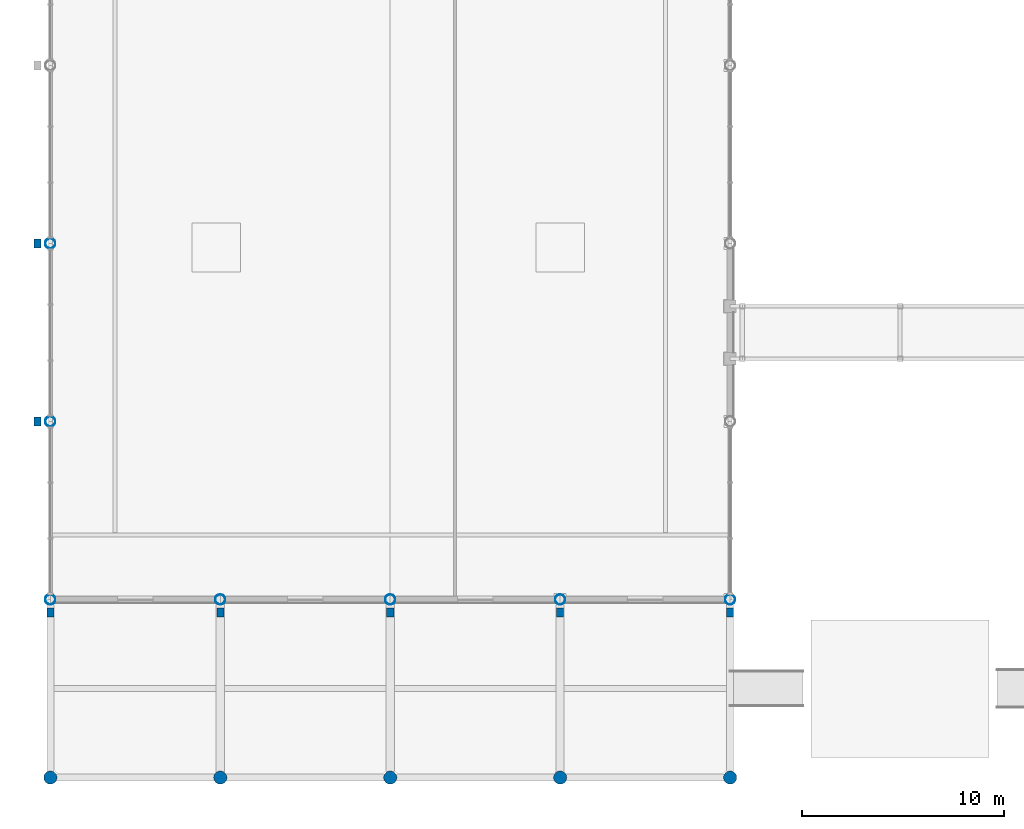
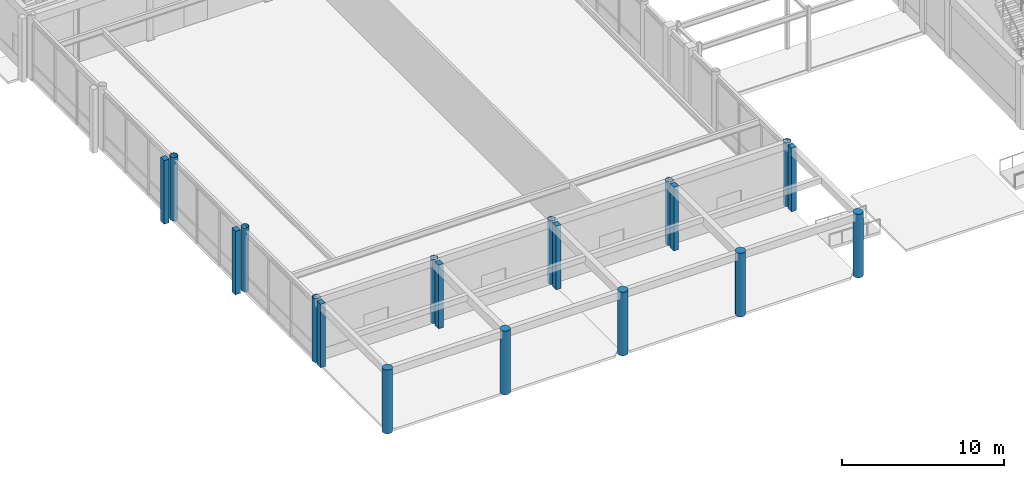
# One storey, part 1 of 58: 19 columns.
"""IFC4 building model written with IfcOpenShell, lengths in metres."""

from ifc_helpers import new_model, si_unit, direction, frame, origin, origin_2d, place, context, subcontext, project, spatial, rectangle, circle, hollow_circle, extrude, material, material_profile, profile_set, type_object, element, save


model = new_model("IFC4")

# Units and contexts
model_context = context("Model", 3, precision=1e-05, world=origin(), true_north=direction((0.0, 1.0)))
body_context = subcontext(model_context, "Body", "Model", "MODEL_VIEW")
ifc_project = project(units=[si_unit("LENGTHUNIT", "METRE"), si_unit("AREAUNIT", "SQUARE_METRE"), si_unit("VOLUMEUNIT", "CUBIC_METRE"), si_unit("PLANEANGLEUNIT", "RADIAN"), si_unit("MASSUNIT", "GRAM", prefix="KILO")], contexts=[model_context])

# Site, building, storey
site_placement = place(None, origin())
site = spatial("IfcSite", under=ifc_project, at=site_placement, CompositionType="ELEMENT")
building_placement = place(site_placement, origin())
building = spatial("IfcBuilding", under=site, at=building_placement, Name="Kemercrest Conservatory and Botanical Centre", CompositionType="ELEMENT")
storey_placement = place(building_placement, origin())
storey = spatial("IfcBuildingStorey", under=building, at=storey_placement, Name="L00", CompositionType="ELEMENT", Elevation=0.0)

# Columns
ifc_material_1 = material(Name="Steel CSA G40.21 350W", Category="steel")
ifc_material_profile_1 = material_profile(ifc_material_1, hollow_circle(Radius=0.25390625, WallThickness=0.01611328125, at=origin_2d()), Name="CHS 508.0x16.0")
ifc_profile_set_1 = profile_set([ifc_material_profile_1], Name="Steel CSA G40.21 350W")
column_type_1 = type_object("IfcColumnType", Name="C-S508", PredefinedType="COLUMN", material=ifc_profile_set_1)
for number, where, z_axis, x_axis, name in (
    (1, (8.0, 16.800048828125, 0.0), (0.0, 0.0, 1.0), (1.0, 0.0, 0.0), "Conservatory perimeter steel column 01/B"),
    (2, (8.0, 25.60009765625, 0.0), (0.0, 0.0, 1.0), (1.0, 0.0, 0.0), "Conservatory perimeter steel column 01/C"),
    (3, (8.0, 34.39990234375, 0.0), (0.0, 0.0, 1.0), (1.0, 0.0, 0.0), "Conservatory perimeter steel column 01/D"),
    (4, (16.39990234375, 16.800048828125, 0.0), (0.0, 0.0, 1.0), (1.0, 0.0, 0.0), "Conservatory perimeter steel column 02/B"),
    (5, (24.800048828125, 16.800048828125, 0.0), (0.0, 0.0, 1.0), (1.0, 0.0, 0.0), "Conservatory perimeter steel column 03/B"),
    (6, (33.199951171875, 16.800048828125, 0.0), (0.0, 0.0, 1.0), (1.0, 0.0, 0.0), "Conservatory perimeter steel column 04/B"),
    (7, (41.60009765625, 16.800048828125, 0.0), (0.0, 0.0, 1.0), (1.0, 0.0, 0.0), "Conservatory perimeter steel column 05/B"),
):
    element("IfcColumn", number, at=place(storey_placement, frame(where, z_axis=z_axis, x_axis=x_axis)), inside=storey, type_object=column_type_1, Name=name, PredefinedType="COLUMN", context=body_context, shape_type="SweptSolid", body=[
        extrude(hollow_circle(Radius=0.25390625, WallThickness=0.01611328125, at=origin_2d()), origin(), (0.0, 0.0, 1.0), 4.800048828125),
    ])
ifc_material_2 = material(Name="Precast concrete C40/50", Category="concrete")
ifc_material_profile_2 = material_profile(ifc_material_2, circle(Radius=0.324951171875, at=origin_2d()), Name="COLONNADE D650")
ifc_profile_set_2 = profile_set([ifc_material_profile_2], Name="Precast concrete C40/50")
column_type_2 = type_object("IfcColumnType", Name="CL-650", PredefinedType="COLUMN", material=ifc_profile_set_2)
for number, where, z_axis, x_axis, name in (
    (8, (8.0, 8.0, 0.0), (0.0, 0.0, 1.0), (1.0, 0.0, 0.0), "Conservatory harbour colonnade column 01/A"),
    (9, (16.39990234375, 8.0, 0.0), (0.0, 0.0, 1.0), (1.0, 0.0, 0.0), "Conservatory harbour colonnade column 02/A"),
    (10, (24.800048828125, 8.0, 0.0), (0.0, 0.0, 1.0), (1.0, 0.0, 0.0), "Conservatory harbour colonnade column 03/A"),
    (11, (33.199951171875, 8.0, 0.0), (0.0, 0.0, 1.0), (1.0, 0.0, 0.0), "Conservatory harbour colonnade column 04/A"),
    (12, (41.60009765625, 8.0, 0.0), (0.0, 0.0, 1.0), (1.0, 0.0, 0.0), "Conservatory harbour colonnade column 05/A"),
):
    element("IfcColumn", number, at=place(storey_placement, frame(where, z_axis=z_axis, x_axis=x_axis)), inside=storey, type_object=column_type_2, Name=name, PredefinedType="COLUMN", context=body_context, shape_type="SweptSolid", body=[
        extrude(circle(Radius=0.324951171875, at=origin_2d()), origin(), (0.0, 0.0, 1.0), 4.800048828125),
    ])
ifc_material_profile_3 = material_profile(ifc_material_2, rectangle(XDim=0.35009765625, YDim=0.449951171875, at=origin_2d()), Name="RC 450x350")
ifc_profile_set_3 = profile_set([ifc_material_profile_3], Name="Precast concrete C40/50")
column_type_3 = type_object("IfcColumnType", Name="PL-450", PredefinedType="PILASTER", material=ifc_profile_set_3)
for number, where, z_axis, x_axis, name in (
    (13, (8.0, 16.159912109375, 0.0), (0.0, 0.0, 1.0), (1.0, 0.0, 0.0), "Conservatory facade stone pilaster 01/B"),
    (14, (7.360107421875, 25.60009765625, 0.0), (0.0, 0.0, 1.0), (1.0, 0.0, 0.0), "Conservatory facade stone pilaster 01/C"),
    (15, (7.360107421875, 34.39990234375, 0.0), (0.0, 0.0, 1.0), (1.0, 0.0, 0.0), "Conservatory facade stone pilaster 01/D"),
    (16, (16.39990234375, 16.159912109375, 0.0), (0.0, 0.0, 1.0), (1.0, 0.0, 0.0), "Conservatory facade stone pilaster 02/B"),
    (17, (24.800048828125, 16.159912109375, 0.0), (0.0, 0.0, 1.0), (1.0, 0.0, 0.0), "Conservatory facade stone pilaster 03/B"),
    (18, (33.199951171875, 16.159912109375, 0.0), (0.0, 0.0, 1.0), (1.0, 0.0, 0.0), "Conservatory facade stone pilaster 04/B"),
    (19, (41.60009765625, 16.159912109375, 0.0), (0.0, 0.0, 1.0), (1.0, 0.0, 0.0), "Conservatory facade stone pilaster 05/B"),
):
    element("IfcColumn", number, at=place(storey_placement, frame(where, z_axis=z_axis, x_axis=x_axis)), inside=storey, type_object=column_type_3, Name=name, PredefinedType="PILASTER", context=body_context, shape_type="SweptSolid", body=[
        extrude(rectangle(XDim=0.35009765625, YDim=0.449951171875, at=origin_2d()), origin(), (0.0, 0.0, 1.0), 4.800048828125),
    ])

save(model, "model.ifc")
